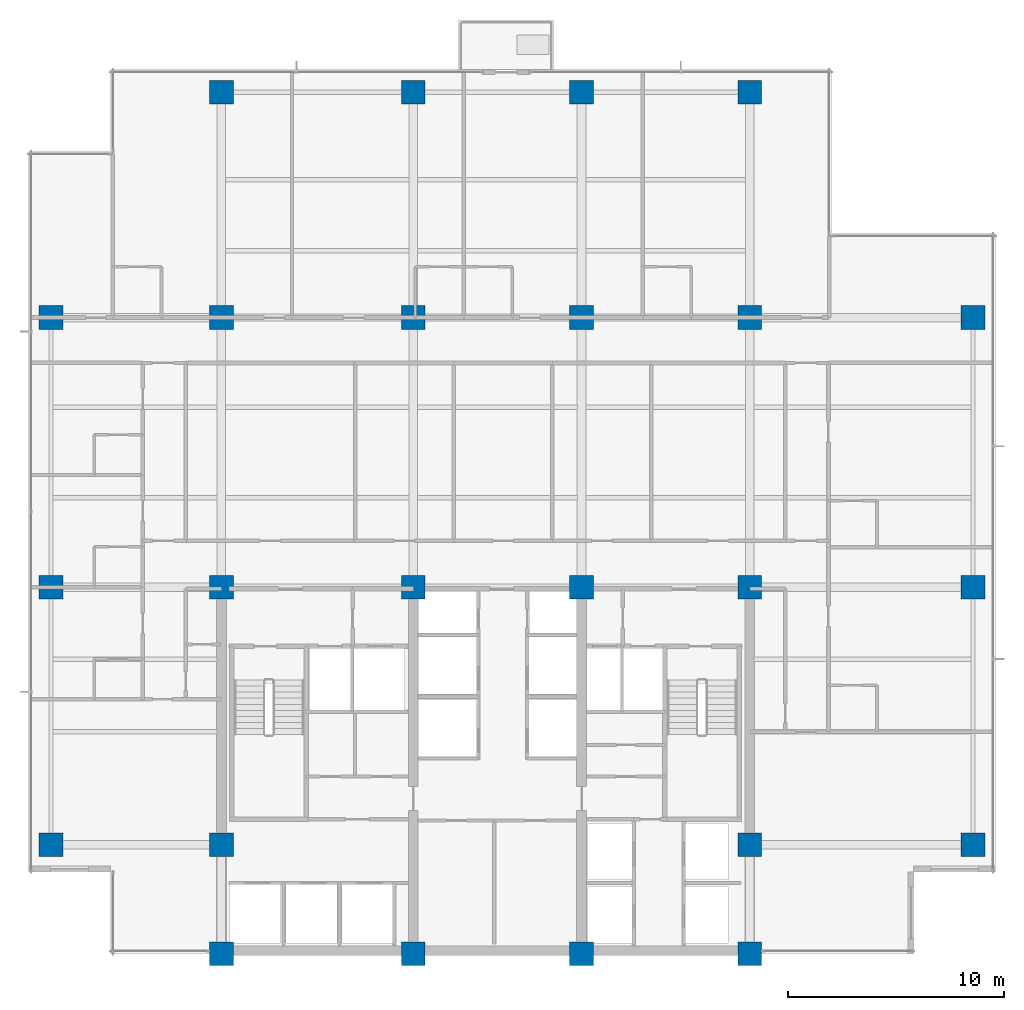
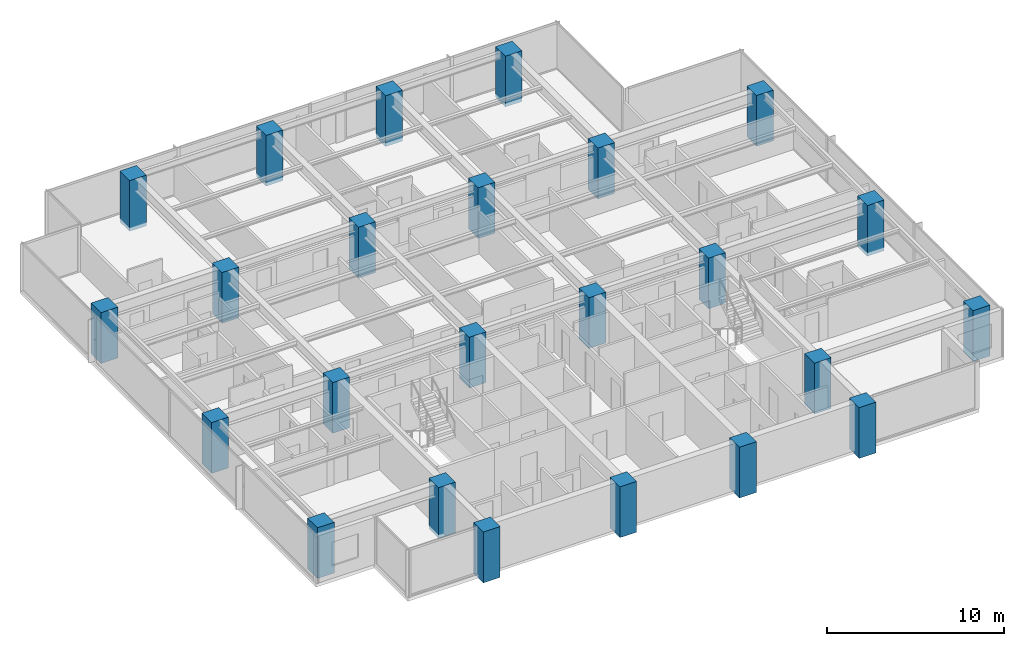
# One storey, part 1 of 16: 24 columns.
"""IFC4 building model written with IfcOpenShell, lengths in metres."""

import ifcopenshell
import ifcopenshell.guid

model = None  # the IFC model being written
_history = None  # IfcOwnerHistory: only IFC2X3 demands one
_inside = {}  # id of a spatial element -> (the spatial element, [elements in it])
_under = {}  # id of a project, library or spatial element -> (it, [spatial elements below it])
_declared = {}  # id of a project -> (the project, [libraries it declares])
_typed = {}  # id of a type object -> (the type object, [elements of that type])
_made_of = {}  # id of a material, layer set ... -> (it, [elements and type objects made of it])


def new_model(schema):
    """Start an empty IFC model of exactly this schema.

    Asked for "IFC4X3", IfcOpenShell would pick the latest addendum, in which some entities
    have other attributes; the version numbers below select the first issue.
    IFC2X3 requires an IfcOwnerHistory on every rooted entity: one is made here for all.
    """
    global model, _history
    if schema == "IFC4X3":
        model = ifcopenshell.file(schema_version=(4, 3, 0, 0))
    else:
        model = ifcopenshell.file(schema=schema)
    _inside.clear()
    _under.clear()
    _declared.clear()
    _typed.clear()
    _made_of.clear()
    _history = None
    if model.schema == "IFC2X3":
        org = make("IfcOrganization", Name="unknown")
        user = make(
            "IfcPersonAndOrganization",
            ThePerson=make("IfcPerson", FamilyName="unknown"),
            TheOrganization=org,
        )
        app = make(
            "IfcApplication",
            ApplicationDeveloper=org,
            Version="unknown",
            ApplicationFullName="unknown",
            ApplicationIdentifier="unknown",
        )
        _history = make(
            "IfcOwnerHistory",
            OwningUser=user,
            OwningApplication=app,
            ChangeAction="ADDED",
            CreationDate=0,
        )
    return model


def make(cls, **values):
    """One entity of the class cls with the attributes given. An attribute that is None is left unset."""
    return model.create_entity(
        cls, **{name: value for name, value in values.items() if value is not None}
    )


def rooted(cls, **values):
    """An entity with a GlobalId (a new one), such as an element, a storey or a relation."""
    return make(cls, GlobalId=ifcopenshell.guid.new(), OwnerHistory=_history, **values)


def si_unit(unit_type, name, prefix=None):
    """IfcSIUnit, for example si_unit("LENGTHUNIT", "METRE", prefix="MILLI")."""
    return make("IfcSIUnit", UnitType=unit_type, Prefix=prefix, Name=name)


def assignment(units):
    """IfcUnitAssignment: the units of a project."""
    return None if units is None else make("IfcUnitAssignment", Units=units)


def point(xyz):
    """IfcCartesianPoint."""
    return None if xyz is None else make("IfcCartesianPoint", Coordinates=xyz)


def direction(xyz):
    """IfcDirection."""
    return None if xyz is None else make("IfcDirection", DirectionRatios=xyz)


def frame(location, z_axis=None, x_axis=None):
    """IfcAxis2Placement3D, a coordinate frame: its origin and axes. An axis left out is left unset."""
    return make(
        "IfcAxis2Placement3D",
        Location=point(location),
        Axis=direction(z_axis),
        RefDirection=direction(x_axis),
    )


def frame_2d(location, x_axis=None):
    """IfcAxis2Placement2D, a coordinate frame in the plane: its origin and x axis."""
    return make(
        "IfcAxis2Placement2D", Location=point(location), RefDirection=direction(x_axis)
    )


def origin():
    """The frame at (0, 0, 0) with its axes left unset."""
    return frame((0.0, 0.0, 0.0))


def origin_2d():
    """The frame at (0, 0) in the plane with its x axis left unset."""
    return frame_2d((0.0, 0.0))


def place(relative_to, where):
    """IfcLocalPlacement: puts the frame where relative to a parent placement (None: the world)."""
    return make(
        "IfcLocalPlacement", PlacementRelTo=relative_to, RelativePlacement=where
    )


def context(
    kind, dimensions, precision=None, world=None, true_north=None, identifier=None
):
    """IfcGeometricRepresentationContext, for example the 3D "Model" context."""
    return make(
        "IfcGeometricRepresentationContext",
        ContextIdentifier=identifier,
        ContextType=kind,
        CoordinateSpaceDimension=dimensions,
        Precision=precision,
        WorldCoordinateSystem=world,
        TrueNorth=true_north,
    )


def subcontext(parent, identifier, kind, view, scale=None):
    """IfcGeometricRepresentationSubContext, for example "Body" below "Model"."""
    return make(
        "IfcGeometricRepresentationSubContext",
        ContextIdentifier=identifier,
        ContextType=kind,
        ParentContext=parent,
        TargetScale=scale,
        TargetView=view,
    )


def project(units=None, contexts=None):
    """IfcProject with its units and contexts."""
    return rooted(
        "IfcProject",
        Name="project",
        RepresentationContexts=contexts,
        UnitsInContext=assignment(units),
    )


def spatial(cls, under=None, at=None, **own):
    """A site, building, storey or space (cls), placed at a placement, below another one or the project."""
    s = rooted(cls, ObjectPlacement=at, **own)
    if under is not None:
        _under.setdefault(under.id(), (under, []))[1].append(s)
    return s


def profile(cls, at=None, kind="AREA", **sizes):
    """A parametric profile (cls). Its sizes go by their IFC names, for example OverallWidth=200.0."""
    return make(cls, ProfileType=kind, Position=at, **sizes)


def rectangle(**sizes):
    """IfcRectangleProfileDef."""
    return profile("IfcRectangleProfileDef", **sizes)


def extrude(swept, where, along, depth):
    """IfcExtrudedAreaSolid: the profile swept, set in the frame where, extruded along a direction by depth."""
    return make(
        "IfcExtrudedAreaSolid",
        SweptArea=swept,
        Position=where,
        ExtrudedDirection=direction(along),
        Depth=depth,
    )


def shape(context_of_items, identifier, shape_type, items):
    """IfcShapeRepresentation: the items that make up one representation, for example the "Body"."""
    return make(
        "IfcShapeRepresentation",
        ContextOfItems=context_of_items,
        RepresentationIdentifier=identifier,
        RepresentationType=shape_type,
        Items=items,
    )


def material(Name=None, Category=None):
    """IfcMaterial."""
    return make("IfcMaterial", Name=Name, Category=Category)


def material_profile(
    of_material, cross_section, Name=None, Category=None, Priority=None
):
    """IfcMaterialProfile: a cross section and its material."""
    return make(
        "IfcMaterialProfile",
        Name=Name,
        Material=of_material,
        Profile=cross_section,
        Priority=Priority,
        Category=Category,
    )


def profile_set(profiles, Name=None, composite=None):
    """IfcMaterialProfileSet."""
    return make(
        "IfcMaterialProfileSet",
        Name=Name,
        MaterialProfiles=profiles,
        CompositeProfile=composite,
    )


def made_of(thing, what):
    """Note that an element or type object is made of a material, layer set ...; save() writes the relation."""
    if what is not None:
        _made_of.setdefault(what.id(), (what, []))[1].append(thing)
    return thing


def type_object(cls, material=None, **own):
    """A type object (cls), such as IfcWallType, which elements share."""
    return made_of(rooted(cls, **own), material)


def element(
    cls,
    number,
    at=None,
    inside=None,
    cuts=None,
    type_object=None,
    material=None,
    context=None,
    identifier="Body",
    shape_type=None,
    held_by="IfcProductDefinitionShape",
    body=None,
    shapes=None,
    **own,
):
    """One element of the class cls, such as IfcWall. Its Tag is "e" and its number.

    at: its placement. inside: the storey or other place that contains it. cuts: it is an
    opening in that element (IfcRelVoidsElement). A single representation is given by context,
    identifier, shape_type and body (its items); several are given by shapes. held_by: the class
    of the entity that holds the representations. save() writes the other relations.
    """
    e = rooted(cls, Tag="e%d" % number, ObjectPlacement=at, **own)
    if body is not None:
        shapes = [shape(context, identifier, shape_type, body)]
    if shapes is not None:
        e.Representation = make(held_by, Representations=shapes)
    if inside is not None:
        _inside.setdefault(inside.id(), (inside, []))[1].append(e)
    if cuts is not None:
        rooted(
            "IfcRelVoidsElement", RelatingBuildingElement=cuts, RelatedOpeningElement=e
        )
    if type_object is not None:
        _typed.setdefault(type_object.id(), (type_object, []))[1].append(e)
    return made_of(e, material)


def aggregate(whole, parts):
    """IfcRelAggregates: a whole, such as a stair, and the parts it consists of."""
    return rooted("IfcRelAggregates", RelatingObject=whole, RelatedObjects=parts)


def save(model, path):
    """Write the relations noted so far, then the file.

    IfcRelAggregates (storeys below a building ...), IfcRelContainedInSpatialStructure (elements
    in a storey), IfcRelDefinesByType, IfcRelAssociatesMaterial and IfcRelDeclares: one each for
    every whole, place, type object, material and project.
    """
    for whole, parts in _under.values():
        aggregate(whole, parts)
    for where, things in _inside.values():
        rooted(
            "IfcRelContainedInSpatialStructure",
            RelatedElements=things,
            RelatingStructure=where,
        )
    for kind, things in _typed.values():
        rooted("IfcRelDefinesByType", RelatedObjects=things, RelatingType=kind)
    for what, things in _made_of.values():
        rooted("IfcRelAssociatesMaterial", RelatedObjects=things, RelatingMaterial=what)
    for by, libraries in _declared.values():
        rooted("IfcRelDeclares", RelatingContext=by, RelatedDefinitions=libraries)
    model.write(path)


model = new_model("IFC4")

# Units and contexts
model_context = context("Model", 3, precision=1e-05, world=origin(), true_north=direction((0.0, 1.0)))
body_context = subcontext(model_context, "Body", "Model", "MODEL_VIEW")
ifc_project = project(units=[si_unit("LENGTHUNIT", "METRE"), si_unit("AREAUNIT", "SQUARE_METRE"), si_unit("VOLUMEUNIT", "CUBIC_METRE"), si_unit("PLANEANGLEUNIT", "RADIAN"), si_unit("MASSUNIT", "GRAM", prefix="KILO")], contexts=[model_context])

# Site, building, storey
site_placement = place(None, origin())
site = spatial("IfcSite", under=ifc_project, at=site_placement, CompositionType="ELEMENT")
building_placement = place(site_placement, origin())
building = spatial("IfcBuilding", under=site, at=building_placement, Name="Qalmaran Belvedere Hotel", CompositionType="ELEMENT")
storey_placement = place(building_placement, frame((0.0, 0.0, 145.60009765625)))
storey = spatial("IfcBuildingStorey", under=building, at=storey_placement, Name="L36", CompositionType="ELEMENT", Elevation=145.60009765625)

# Columns
ifc_material = material(Name="Concrete C50/60", Category="concrete")
ifc_material_profile = material_profile(ifc_material, rectangle(XDim=1.10009765625, YDim=1.10009765625, at=origin_2d()), Name="CC1100X1100")
ifc_profile_set = profile_set([ifc_material_profile], Name="Concrete C50/60")
column_type = type_object("IfcColumnType", Name="COL-Z3-CC1100", PredefinedType="COLUMN", material=ifc_profile_set)
for number, where, z_axis, x_axis, name in (
    (1, (20.300048828125, 3.5, -0.25), (0.0, 0.0, 1.0), (1.0, 0.0, 0.0), "L36 Column C4B"),
    (2, (29.199951171875, 3.5, -0.25), (0.0, 0.0, 1.0), (1.0, 0.0, 0.0), "L36 Column C5B"),
    (3, (37.0, 3.5, -0.25), (0.0, 0.0, 1.0), (1.0, 0.0, 0.0), "L36 Column C6B"),
    (4, (44.800048828125, 3.5, -0.25), (0.0, 0.0, 1.0), (1.0, 0.0, 0.0), "L36 Column C7B"),
    (5, (20.300048828125, 8.550048828125, -0.25), (0.0, 0.0, 1.0), (1.0, 0.0, 0.0), "L36 Column C4C"),
    (6, (44.800048828125, 8.550048828125, -0.25), (0.0, 0.0, 1.0), (1.0, 0.0, 0.0), "L36 Column C7C"),
    (7, (20.300048828125, 20.5, -0.25), (0.0, 0.0, 1.0), (1.0, 0.0, 0.0), "L36 Column C4D"),
    (8, (29.199951171875, 20.5, -0.25), (0.0, 0.0, 1.0), (1.0, 0.0, 0.0), "L36 Column C5D"),
    (9, (37.0, 20.5, -0.25), (0.0, 0.0, 1.0), (1.0, 0.0, 0.0), "L36 Column C6D"),
    (10, (44.800048828125, 20.5, -0.25), (0.0, 0.0, 1.0), (1.0, 0.0, 0.0), "L36 Column C7D"),
    (11, (20.300048828125, 33.0, -0.25), (0.0, 0.0, 1.0), (1.0, 0.0, 0.0), "L36 Column C4F"),
    (12, (29.199951171875, 33.0, -0.25), (0.0, 0.0, 1.0), (1.0, 0.0, 0.0), "L36 Column C5F"),
    (13, (37.0, 33.0, -0.25), (0.0, 0.0, 1.0), (1.0, 0.0, 0.0), "L36 Column C6F"),
    (14, (44.800048828125, 33.0, -0.25), (0.0, 0.0, 1.0), (1.0, 0.0, 0.0), "L36 Column C7F"),
    (15, (12.39990234375, 8.550048828125, -0.25), (0.0, 0.0, 1.0), (1.0, 0.0, 0.0), "L36 Column CW1"),
    (16, (12.39990234375, 20.5, -0.25), (0.0, 0.0, 1.0), (1.0, 0.0, 0.0), "L36 Column CW3"),
    (17, (12.39990234375, 33.0, -0.25), (0.0, 0.0, 1.0), (1.0, 0.0, 0.0), "L36 Column CW4"),
    (18, (55.14990234375, 8.550048828125, -0.25), (0.0, 0.0, 1.0), (1.0, 0.0, 0.0), "L36 Column CE1"),
    (19, (55.14990234375, 20.5, -0.25), (0.0, 0.0, 1.0), (1.0, 0.0, 0.0), "L36 Column CE3"),
    (20, (55.14990234375, 33.0, -0.25), (0.0, 0.0, 1.0), (1.0, 0.0, 0.0), "L36 Column CE4"),
    (21, (20.300048828125, 43.449951171875, -0.25), (0.0, 0.0, 1.0), (1.0, 0.0, 0.0), "L36 Column CN1"),
    (22, (29.199951171875, 43.449951171875, -0.25), (0.0, 0.0, 1.0), (1.0, 0.0, 0.0), "L36 Column CN2"),
    (23, (37.0, 43.449951171875, -0.25), (0.0, 0.0, 1.0), (1.0, 0.0, 0.0), "L36 Column CN3"),
    (24, (44.800048828125, 43.449951171875, -0.25), (0.0, 0.0, 1.0), (1.0, 0.0, 0.0), "L36 Column CN4"),
):
    element("IfcColumn", number, at=place(storey_placement, frame(where, z_axis=z_axis, x_axis=x_axis)), inside=storey, type_object=column_type, Name=name, PredefinedType="COLUMN", context=body_context, shape_type="SweptSolid", body=[
        extrude(rectangle(XDim=1.10009765625, YDim=1.10009765625, at=origin_2d()), origin(), (0.0, 0.0, 1.0), 3.5),
    ])

save(model, "model.ifc")
